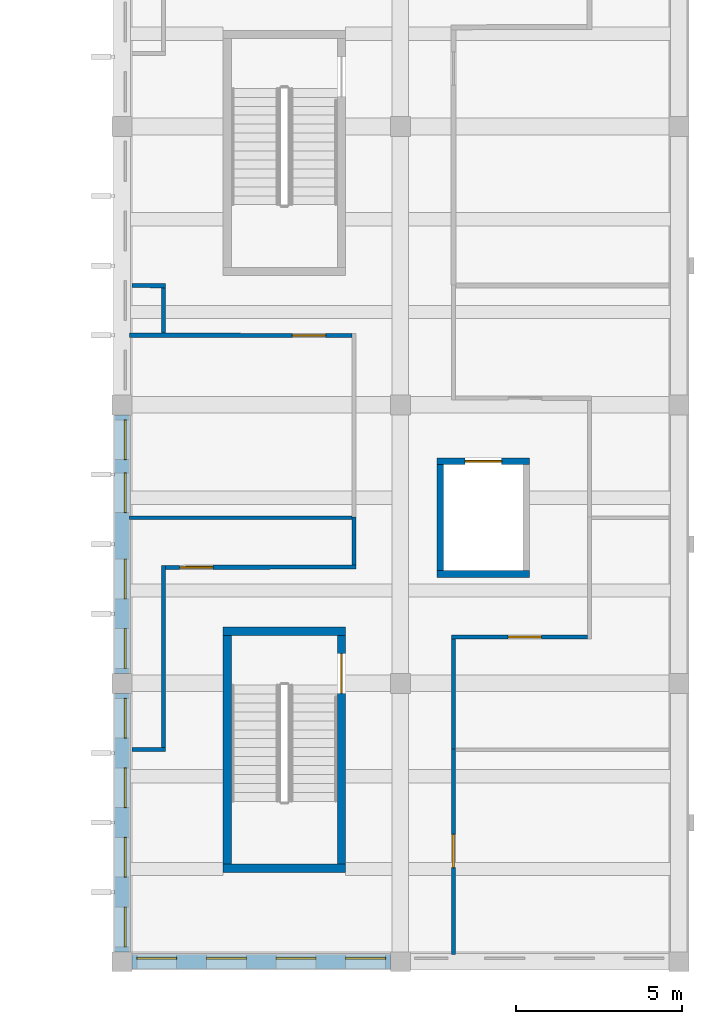
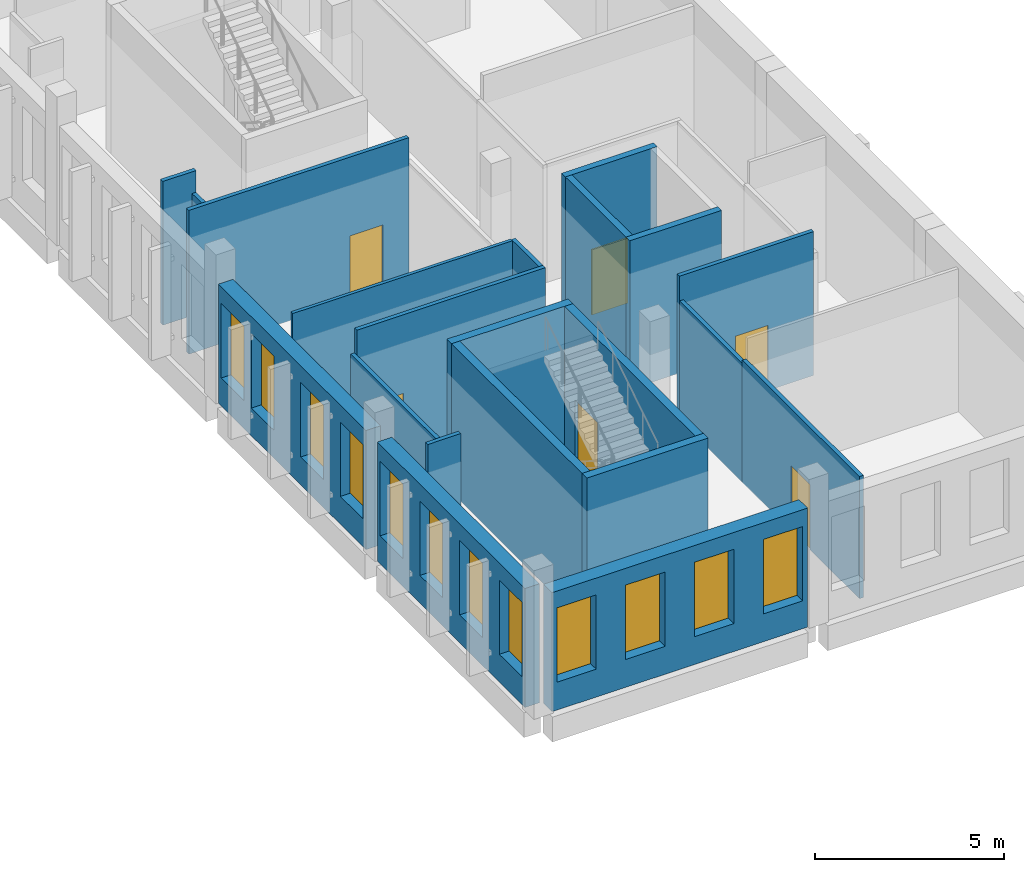
# One storey, part 55 of 103: 21 walls, 12 windows, 6 doors, 18 openings.
"""IFC4 building model written with IfcOpenShell, lengths in metres."""

from ifc_helpers import new_model, si_unit, direction, frame, frame_2d, origin, place, context, subcontext, project, spatial, rectangle, extrude, material, layer, layer_set, type_object, element, fill, save


model = new_model("IFC4")

# Units and contexts
model_context = context("Model", 3, precision=1e-05, world=origin(), true_north=direction((0.0, 1.0)))
body_context = subcontext(model_context, "Body", "Model", "MODEL_VIEW")
ifc_project = project(units=[si_unit("LENGTHUNIT", "METRE"), si_unit("AREAUNIT", "SQUARE_METRE"), si_unit("VOLUMEUNIT", "CUBIC_METRE"), si_unit("PLANEANGLEUNIT", "RADIAN"), si_unit("MASSUNIT", "GRAM", prefix="KILO")], contexts=[model_context])

# Site, building, storey
site_placement = place(None, origin())
site = spatial("IfcSite", under=ifc_project, at=site_placement, CompositionType="ELEMENT")
building_placement = place(site_placement, origin())
building = spatial("IfcBuilding", under=site, at=building_placement, Name="Larchfold Concert Hall", CompositionType="ELEMENT")
storey_placement = place(building_placement, frame((0.0, 0.0, 9.60009765625)))
storey = spatial("IfcBuildingStorey", under=building, at=storey_placement, Name="L02", CompositionType="ELEMENT", Elevation=9.60009765625)

# Wall, opening, door
ifc_material_1 = material(Name="Plasterboard partition on steel studs", Category="steel")
ifc_layer_1 = layer(ifc_material_1, 0.125)
ifc_layer_set_1 = layer_set([ifc_layer_1], Name="Plasterboard partition on steel studs")
wall_type_1 = type_object("IfcWallType", Name="Corridor partition 125 EI 60", PredefinedType="PARTITIONING", material=ifc_layer_set_1)
wall_1_placement = place(storey_placement, frame((94.60107421875, 7.02001953125, 0.0), z_axis=(0.0, 0.0, 1.0), x_axis=(-0.000157641679, -0.999999987575, 0.0)))
wall_1 = element("IfcWall", 1, at=wall_1_placement, inside=storey, type_object=wall_type_1, Name="Partition IW0015", PredefinedType="PARTITIONING", context=body_context, shape_type="SweptSolid", body=[
    extrude(rectangle(XDim=6.19482421875, YDim=0.125, at=frame_2d((3.097412109375, 0.0))), origin(), (0.0, 0.0, 1.0), 3.939697265625),
])
opening_1_placement = place(wall_1_placement, frame((2.579833984375, 0.0, 0.0)))
opening_1 = element("IfcOpeningElement", 2, at=opening_1_placement, cuts=wall_1, Name="Opening D-L02-108", PredefinedType="OPENING", context=body_context, shape_type="SweptSolid", body=[
    extrude(rectangle(XDim=1.0, YDim=2.10009765625, at=frame_2d((0.5, 1.050048828125))), frame((0.0, 0.072509765625, 0.0), z_axis=(0.0, -1.0, 0.0), x_axis=(1.0, 0.0, 0.0)), (0.0, 0.0, 1.0), 0.14501953125),
])
ifc_material_2 = material(Name="Timber door leaf", Category="wood")
door_type_1 = type_object("IfcDoorType", Name="Room door 1000 x 2100 FD30S", OperationType="SINGLE_SWING_LEFT", PredefinedType="DOOR", material=ifc_material_2)
door_1_placement = place(opening_1_placement, origin())
door_1 = element("IfcDoor", 3, at=door_1_placement, inside=storey, type_object=door_type_1, Name="Door D-L02-108", OperationType="SINGLE_SWING_RIGHT", OverallHeight=2.10009765625, OverallWidth=1.0, PredefinedType="DOOR", context=body_context, shape_type="SweptSolid", body=[
    extrude(rectangle(XDim=1.0, YDim=2.10009765625, at=frame_2d((0.5, 1.050048828125))), frame((0.0, 0.02490234375, 0.0), z_axis=(0.0, -1.0, 0.0), x_axis=(1.0, 0.0, 0.0)), (0.0, 0.0, 1.0), 0.050048828125),
])
fill(opening_1, door_1)

# Walls
wall_2_placement = place(storey_placement, frame((84.89990234375, 7.0, 0.0), z_axis=(0.0, 0.0, 1.0), x_axis=(0.999955888097, 0.009392649238, 0.0)))
element("IfcWall", 4, at=wall_2_placement, inside=storey, type_object=wall_type_1, Name="Partition IW0016", PredefinedType="PARTITIONING", context=body_context, shape_type="SweptSolid", body=[
    extrude(rectangle(XDim=1.013671875, YDim=0.125, at=frame_2d((0.5068359375, 0.0))), origin(), (0.0, 0.0, 1.0), 4.639892578125),
])
wall_3_placement = place(storey_placement, frame((85.85107421875, 7.071533203125, 0.0), z_axis=(0.0, 0.0, 1.0), x_axis=(0.0, 1.0, 0.0)))
element("IfcWall", 5, at=wall_3_placement, inside=storey, type_object=wall_type_1, Name="Partition IW0017", PredefinedType="PARTITIONING", context=body_context, shape_type="SweptSolid", body=[
    extrude(rectangle(XDim=5.489990234375, YDim=0.125, at=frame_2d((2.7451171875, 0.0))), origin(), (0.0, 0.0, 1.0), 3.840087890625),
])

# Wall, opening, door
wall_4_placement = place(storey_placement, frame((85.91357421875, 12.4990234375, 0.0), z_axis=(0.0, 0.0, 1.0), x_axis=(0.999998484761, 0.001740826167, 0.0)))
wall_4 = element("IfcWall", 6, at=wall_4_placement, inside=storey, type_object=wall_type_1, Name="Partition IW0018", PredefinedType="PARTITIONING", context=body_context, shape_type="SweptSolid", body=[
    extrude(rectangle(XDim=5.75, YDim=0.125, at=frame_2d((2.875, 0.0))), origin(), (0.0, 0.0, 1.0), 4.639892578125),
])
opening_2_placement = place(wall_4_placement, frame((0.426513671875, 0.0, 0.0)))
opening_2 = element("IfcOpeningElement", 7, at=opening_2_placement, cuts=wall_4, Name="Opening D-L02-109", PredefinedType="OPENING", context=body_context, shape_type="SweptSolid", body=[
    extrude(rectangle(XDim=1.0, YDim=2.10009765625, at=frame_2d((0.5, 1.050048828125))), frame((0.0, 0.072509765625, 0.0), z_axis=(0.0, -1.0, 0.0), x_axis=(1.0, 0.0, 0.0)), (0.0, 0.0, 1.0), 0.14501953125),
])
door_2_placement = place(opening_2_placement, origin())
door_2 = element("IfcDoor", 8, at=door_2_placement, inside=storey, type_object=door_type_1, Name="Door D-L02-109", OperationType="SINGLE_SWING_LEFT", OverallHeight=2.10009765625, OverallWidth=1.0, PredefinedType="DOOR", context=body_context, shape_type="SweptSolid", body=[
    extrude(rectangle(XDim=1.0, YDim=2.10009765625, at=frame_2d((0.5, 1.050048828125))), frame((0.0, 0.02490234375, 0.0), z_axis=(0.0, -1.0, 0.0), x_axis=(1.0, 0.0, 0.0)), (0.0, 0.0, 1.0), 0.050048828125),
])
fill(opening_2, door_2)

# Wall
wall_5_placement = place(storey_placement, frame((91.60107421875, 12.571533203125, 0.0), z_axis=(0.0, 0.0, 1.0), x_axis=(0.0, 1.0, 0.0)))
element("IfcWall", 9, at=wall_5_placement, inside=storey, type_object=wall_type_1, Name="Partition IW0019", PredefinedType="PARTITIONING", context=body_context, shape_type="SweptSolid", body=[
    extrude(rectangle(XDim=1.448486328125, YDim=0.125, at=frame_2d((0.72412109375, 0.0))), origin(), (0.0, 0.0, 1.0), 4.639892578125),
])

# Wall, opening, door
wall_6_placement = place(storey_placement, frame((91.53662109375, 19.4970703125, 0.0), z_axis=(0.0, 0.0, 1.0), x_axis=(-0.999999761149, 0.000691160257, 0.0)))
wall_6 = element("IfcWall", 10, at=wall_6_placement, inside=storey, type_object=wall_type_1, Name="Partition IW0021", PredefinedType="PARTITIONING", context=body_context, shape_type="SweptSolid", body=[
    extrude(rectangle(XDim=6.71142578125, YDim=0.125, at=frame_2d((3.355712890625, 0.0))), origin(), (0.0, 0.0, 1.0), 4.639892578125),
])
opening_3_placement = place(wall_6_placement, frame((0.79638671875, 0.0, 0.0)))
opening_3 = element("IfcOpeningElement", 11, at=opening_3_placement, cuts=wall_6, Name="Opening D-L02-110", PredefinedType="OPENING", context=body_context, shape_type="SweptSolid", body=[
    extrude(rectangle(XDim=1.0, YDim=2.10009765625, at=frame_2d((0.5, 1.050048828125))), frame((0.0, 0.072509765625, 0.0), z_axis=(0.0, -1.0, 0.0), x_axis=(1.0, 0.0, 0.0)), (0.0, 0.0, 1.0), 0.14501953125),
])
door_3_placement = place(opening_3_placement, origin())
door_3 = element("IfcDoor", 12, at=door_3_placement, inside=storey, type_object=door_type_1, Name="Door D-L02-110", OperationType="SINGLE_SWING_LEFT", OverallHeight=2.10009765625, OverallWidth=1.0, PredefinedType="DOOR", context=body_context, shape_type="SweptSolid", body=[
    extrude(rectangle(XDim=1.0, YDim=2.10009765625, at=frame_2d((0.5, 1.050048828125))), frame((0.0, 0.02490234375, 0.0), z_axis=(0.0, -1.0, 0.0), x_axis=(1.0, 0.0, 0.0)), (0.0, 0.0, 1.0), 0.050048828125),
])
fill(opening_3, door_3)

# Walls
wall_7_placement = place(storey_placement, frame((85.850830078125, 19.5634765625, 0.0), z_axis=(0.0, 0.0, 1.0), x_axis=(-0.001248215861, 0.999999220978, 0.0)))
element("IfcWall", 13, at=wall_7_placement, inside=storey, type_object=wall_type_1, Name="Partition IW0022", PredefinedType="PARTITIONING", context=body_context, shape_type="SweptSolid", body=[
    extrude(rectangle(XDim=1.369140625, YDim=0.125, at=frame_2d((0.6845703125, 0.0))), origin(), (0.0, 0.0, 1.0), 3.939697265625),
])
wall_8_placement = place(storey_placement, frame((85.91162109375, 20.99462890625, 0.0), z_axis=(0.0, 0.0, 1.0), x_axis=(-0.999985908193, 0.005308805497, 0.0)))
element("IfcWall", 14, at=wall_8_placement, inside=storey, type_object=wall_type_1, Name="Partition IW0023", PredefinedType="PARTITIONING", context=body_context, shape_type="SweptSolid", body=[
    extrude(rectangle(XDim=1.01171875, YDim=0.125, at=frame_2d((0.505859375, 0.0))), origin(), (0.0, 0.0, 1.0), 4.639892578125),
])

# Wall, opening, door
wall_9_placement = place(storey_placement, frame((98.636474609375, 10.40087890625, 0.0), z_axis=(0.0, 0.0, 1.0), x_axis=(-0.999998507473, -0.001727730516, 0.0)))
wall_9 = element("IfcWall", 15, at=wall_9_placement, inside=storey, type_object=wall_type_1, Name="Partition IW0025", PredefinedType="PARTITIONING", context=body_context, shape_type="SweptSolid", body=[
    extrude(rectangle(XDim=4.097900390625, YDim=0.125, at=frame_2d((2.048828125, 0.0))), origin(), (0.0, 0.0, 1.0), 4.639892578125),
])
opening_4_placement = place(wall_9_placement, frame((1.38720703125, 0.0, 0.0)))
opening_4 = element("IfcOpeningElement", 16, at=opening_4_placement, cuts=wall_9, Name="Opening D-L02-111", PredefinedType="OPENING", context=body_context, shape_type="SweptSolid", body=[
    extrude(rectangle(XDim=1.0, YDim=2.10009765625, at=frame_2d((0.5, 1.050048828125))), frame((0.0, 0.072509765625, 0.0), z_axis=(0.0, -1.0, 0.0), x_axis=(1.0, 0.0, 0.0)), (0.0, 0.0, 1.0), 0.14501953125),
])
door_4_placement = place(opening_4_placement, origin())
door_4 = element("IfcDoor", 17, at=door_4_placement, inside=storey, type_object=door_type_1, Name="Door D-L02-111", OperationType="SINGLE_SWING_LEFT", OverallHeight=2.10009765625, OverallWidth=1.0, PredefinedType="DOOR", context=body_context, shape_type="SweptSolid", body=[
    extrude(rectangle(XDim=1.0, YDim=2.10009765625, at=frame_2d((0.5, 1.050048828125))), frame((0.0, 0.02490234375, 0.0), z_axis=(0.0, -1.0, 0.0), x_axis=(1.0, 0.0, 0.0)), (0.0, 0.0, 1.0), 0.050048828125),
])
fill(opening_4, door_4)

# Walls
wall_10_placement = place(storey_placement, frame((94.60107421875, 10.33154296875, 0.0), z_axis=(0.0, 0.0, 1.0), x_axis=(0.0, -1.0, 0.0)))
element("IfcWall", 18, at=wall_10_placement, inside=storey, type_object=wall_type_1, Name="Partition IW0026", PredefinedType="PARTITIONING", context=body_context, shape_type="SweptSolid", body=[
    extrude(rectangle(XDim=3.3115234375, YDim=0.125, at=frame_2d((1.65576171875, 0.0))), origin(), (0.0, 0.0, 1.0), 3.840087890625),
])
ifc_material_3 = material(Name="Plasterboard partition on steel studs", Category="steel")
ifc_layer_2 = layer(ifc_material_3, 0.10009765625)
ifc_layer_set_2 = layer_set([ifc_layer_2], Name="Plasterboard partition on steel studs")
wall_type_2 = type_object("IfcWallType", Name="Stud partition 100", PredefinedType="PARTITIONING", material=ifc_layer_set_2)
wall_11_placement = place(storey_placement, frame((84.8251953125, 14.0, 0.0), z_axis=(0.0, 0.0, 1.0), x_axis=(1.0, 0.0, 0.0)))
element("IfcWall", 19, at=wall_11_placement, inside=storey, type_object=wall_type_2, Name="Partition IW0050", PredefinedType="PARTITIONING", context=body_context, shape_type="SweptSolid", body=[
    extrude(rectangle(XDim=6.709716796875, YDim=0.10009765625, at=frame_2d((3.35498046875, 0.0))), origin(), (0.0, 0.0, 1.0), 4.639892578125),
])
ifc_material_4 = material(Name="Concrete C40/50", Category="concrete")
ifc_layer_3 = layer(ifc_material_4, 0.199951171875)
ifc_layer_set_3 = layer_set([ifc_layer_3], Name="Concrete C40/50")
wall_type_3 = type_object("IfcWallType", Name="Wall RC 200 lift shaft", PredefinedType="SOLIDWALL", material=ifc_layer_set_3)
wall_12_placement = place(storey_placement, frame((94.10009765625, 12.300048828125, 0.0), z_axis=(0.0, 0.0, 1.0), x_axis=(1.0, 0.0, 0.0)))
element("IfcWall", 20, at=wall_12_placement, inside=storey, type_object=wall_type_3, Name="Wall W0151", PredefinedType="SOLIDWALL", context=body_context, shape_type="SweptSolid", body=[
    extrude(rectangle(XDim=2.7998046875, YDim=0.199951171875, at=frame_2d((1.39990234375, 0.0))), origin(), (0.0, 0.0, 1.0), 4.7998046875),
])

# Wall, opening, door
wall_13_placement = place(storey_placement, frame((94.10009765625, 15.699951171875, 0.0), z_axis=(0.0, 0.0, 1.0), x_axis=(1.0, 0.0, 0.0)))
wall_13 = element("IfcWall", 21, at=wall_13_placement, inside=storey, type_object=wall_type_3, Name="Wall W0152", PredefinedType="SOLIDWALL", context=body_context, shape_type="SweptSolid", body=[
    extrude(rectangle(XDim=2.7998046875, YDim=0.199951171875, at=frame_2d((1.39990234375, 0.0))), origin(), (0.0, 0.0, 1.0), 4.7998046875),
])
opening_5_placement = place(wall_13_placement, frame((0.849853515625, 0.0, 0.0)))
opening_5 = element("IfcOpeningElement", 22, at=opening_5_placement, cuts=wall_13, Name="Opening LD-LF06", PredefinedType="OPENING", context=body_context, shape_type="SweptSolid", body=[
    extrude(rectangle(XDim=1.10009765625, YDim=2.10009765625, at=frame_2d((0.550048828125, 1.050048828125))), frame((0.0, 0.10986328125, 0.0), z_axis=(0.0, -1.0, 0.0), x_axis=(1.0, 0.0, 0.0)), (0.0, 0.0, 1.0), 0.219970703125),
])
ifc_material_5 = material(Name="Stainless steel sliding leaves", Category="steel")
door_type_2 = type_object("IfcDoorType", Name="Lift landing door sliding 1100 x 2100", OperationType="SLIDING_TO_LEFT", PredefinedType="DOOR", material=ifc_material_5)
door_5_placement = place(opening_5_placement, origin())
door_5 = element("IfcDoor", 23, at=door_5_placement, inside=storey, type_object=door_type_2, Name="Lift landing door LF06", OperationType="SLIDING_TO_LEFT", OverallHeight=2.10009765625, OverallWidth=1.10009765625, PredefinedType="DOOR", context=body_context, shape_type="SweptSolid", body=[
    extrude(rectangle(XDim=1.10009765625, YDim=2.10009765625, at=frame_2d((0.550048828125, 1.050048828125))), frame((0.0, 0.02490234375, 0.0), z_axis=(0.0, -1.0, 0.0), x_axis=(1.0, 0.0, 0.0)), (0.0, 0.0, 1.0), 0.050048828125),
])
fill(opening_5, door_5)

# Walls
wall_14_placement = place(storey_placement, frame((94.2001953125, 12.39990234375, 0.0), z_axis=(0.0, 0.0, 1.0), x_axis=(0.0, 1.0, 0.0)))
element("IfcWall", 24, at=wall_14_placement, inside=storey, type_object=wall_type_3, Name="Wall W0153", PredefinedType="SOLIDWALL", context=body_context, shape_type="SweptSolid", body=[
    extrude(rectangle(XDim=3.2001953125, YDim=0.199951171875, at=frame_2d((1.60009765625, 0.0))), origin(), (0.0, 0.0, 1.0), 4.7998046875),
])
ifc_material_6 = material(Name="Concrete C40/50", Category="concrete")
ifc_layer_4 = layer(ifc_material_6, 0.25)
ifc_layer_set_4 = layer_set([ifc_layer_4], Name="Concrete C40/50")
wall_type_4 = type_object("IfcWallType", Name="Wall RC 250 stair core", PredefinedType="SOLIDWALL", material=ifc_layer_set_4)
for number, where, z_axis, x_axis, name in (
    (25, (87.64990234375, 3.425048828125, 0.0), (0.0, 0.0, 1.0), (1.0, 0.0, 0.0), "Wall W0079"),
    (26, (87.64990234375, 10.574951171875, 0.0), (0.0, 0.0, 1.0), (1.0, 0.0, 0.0), "Wall W0080"),
):
    element("IfcWall", number, at=place(storey_placement, frame(where, z_axis=z_axis, x_axis=x_axis)), inside=storey, type_object=wall_type_4, Name=name, PredefinedType="SOLIDWALL", context=body_context, shape_type="SweptSolid", body=[
        extrude(rectangle(XDim=3.7001953125, YDim=0.25, at=frame_2d((1.85009765625, 0.0))), origin(), (0.0, 0.0, 1.0), 4.7998046875),
    ])
wall_15_placement = place(storey_placement, frame((87.77490234375, 3.550048828125, 0.0), z_axis=(0.0, 0.0, 1.0), x_axis=(0.0, 1.0, 0.0)))
element("IfcWall", 27, at=wall_15_placement, inside=storey, type_object=wall_type_4, Name="Wall W0081", PredefinedType="SOLIDWALL", context=body_context, shape_type="SweptSolid", body=[
    extrude(rectangle(XDim=6.89990234375, YDim=0.25, at=frame_2d((3.449951171875, 0.0))), origin(), (0.0, 0.0, 1.0), 4.7998046875),
])

# Wall, opening, door
wall_16_placement = place(storey_placement, frame((91.22509765625, 3.550048828125, 0.0), z_axis=(0.0, 0.0, 1.0), x_axis=(0.0, 1.0, 0.0)))
wall_16 = element("IfcWall", 28, at=wall_16_placement, inside=storey, type_object=wall_type_4, Name="Wall W0082", PredefinedType="SOLIDWALL", context=body_context, shape_type="SweptSolid", body=[
    extrude(rectangle(XDim=6.89990234375, YDim=0.25, at=frame_2d((3.449951171875, 0.0))), origin(), (0.0, 0.0, 1.0), 4.7998046875),
])
opening_6_placement = place(wall_16_placement, frame((5.14990234375, 0.0, 0.0)))
opening_6 = element("IfcOpeningElement", 29, at=opening_6_placement, cuts=wall_16, Name="Opening D-L02-149", PredefinedType="OPENING", context=body_context, shape_type="SweptSolid", body=[
    extrude(rectangle(XDim=1.199951171875, YDim=2.10009765625, at=frame_2d((0.60009765625, 1.050048828125))), frame((0.0, 0.135009765625, 0.0), z_axis=(0.0, -1.0, 0.0), x_axis=(1.0, 0.0, 0.0)), (0.0, 0.0, 1.0), 0.27001953125),
])
ifc_material_7 = material(Name="Timber door leaf", Category="wood")
door_type_3 = type_object("IfcDoorType", Name="Stair enclosure door pair 1200 x 2100 FD60", OperationType="SINGLE_SWING_LEFT", PredefinedType="DOOR", material=ifc_material_7)
door_6_placement = place(opening_6_placement, origin())
door_6 = element("IfcDoor", 30, at=door_6_placement, inside=storey, type_object=door_type_3, Name="Door D-L02-149", OperationType="DOUBLE_DOOR_SINGLE_SWING", OverallHeight=2.10009765625, OverallWidth=1.199951171875, PredefinedType="DOOR", context=body_context, shape_type="SweptSolid", body=[
    extrude(rectangle(XDim=1.199951171875, YDim=2.10009765625, at=frame_2d((0.60009765625, 1.050048828125))), frame((0.0, 0.02490234375, 0.0), z_axis=(0.0, -1.0, 0.0), x_axis=(1.0, 0.0, 0.0)), (0.0, 0.0, 1.0), 0.050048828125),
])
fill(opening_6, door_6)

# Wall, openings, windows
ifc_material_8 = material(Name="White render on mineral wool and block")
ifc_layer_5 = layer(ifc_material_8, 0.449951171875)
ifc_layer_set_5 = layer_set([ifc_layer_5], Name="White render on mineral wool and block")
wall_type_5 = type_object("IfcWallType", Name="White render infill wall 450", PredefinedType="SOLIDWALL", material=ifc_layer_set_5)
wall_17_placement = place(storey_placement, frame((84.60009765625, 17.099853515625, 0.0), z_axis=(0.0, 0.0, 1.0), x_axis=(0.0, -1.0, 0.0)))
wall_17 = element("IfcWall", 31, at=wall_17_placement, inside=storey, type_object=wall_type_5, Name="Infill wall W5152", PredefinedType="SOLIDWALL", context=body_context, shape_type="SweptSolid", body=[
    extrude(rectangle(XDim=7.7998046875, YDim=0.449951171875, at=frame_2d((3.89990234375, 0.0))), origin(), (0.0, 0.0, 1.0), 3.840087890625),
])
opening_7_placement = place(wall_17_placement, frame((6.449951171875, 0.0, 0.89990234375)))
opening_7 = element("IfcOpeningElement", 32, at=opening_7_placement, cuts=wall_17, Name="Opening WN-L02-089", PredefinedType="OPENING", context=body_context, shape_type="SweptSolid", body=[
    extrude(rectangle(XDim=1.199951171875, YDim=2.39990234375, at=frame_2d((0.60009765625, 1.199951171875))), frame((0.0, 0.23486328125, 0.0), z_axis=(0.0, -1.0, 0.0), x_axis=(1.0, 0.0, 0.0)), (0.0, 0.0, 1.0), 0.469970703125),
])
opening_8_placement = place(wall_17_placement, frame((4.349853515625, 0.0, 0.89990234375)))
opening_8 = element("IfcOpeningElement", 33, at=opening_8_placement, cuts=wall_17, Name="Opening WN-L02-090", PredefinedType="OPENING", context=body_context, shape_type="SweptSolid", body=[
    extrude(rectangle(XDim=1.199951171875, YDim=2.39990234375, at=frame_2d((0.60009765625, 1.199951171875))), frame((0.0, 0.23486328125, 0.0), z_axis=(0.0, -1.0, 0.0), x_axis=(1.0, 0.0, 0.0)), (0.0, 0.0, 1.0), 0.469970703125),
])
opening_9_placement = place(wall_17_placement, frame((1.749755859375, 0.0, 0.89990234375)))
opening_9 = element("IfcOpeningElement", 34, at=opening_9_placement, cuts=wall_17, Name="Opening WN-L02-091", PredefinedType="OPENING", context=body_context, shape_type="SweptSolid", body=[
    extrude(rectangle(XDim=1.199951171875, YDim=2.39990234375, at=frame_2d((0.60009765625, 1.199951171875))), frame((0.0, 0.23486328125, 0.0), z_axis=(0.0, -1.0, 0.0), x_axis=(1.0, 0.0, 0.0)), (0.0, 0.0, 1.0), 0.469970703125),
])
opening_10_placement = place(wall_17_placement, frame((0.14990234375, 0.0, 0.89990234375)))
opening_10 = element("IfcOpeningElement", 35, at=opening_10_placement, cuts=wall_17, Name="Opening WN-L02-092", PredefinedType="OPENING", context=body_context, shape_type="SweptSolid", body=[
    extrude(rectangle(XDim=1.199951171875, YDim=2.39990234375, at=frame_2d((0.60009765625, 1.199951171875))), frame((0.0, 0.23486328125, 0.0), z_axis=(0.0, -1.0, 0.0), x_axis=(1.0, 0.0, 0.0)), (0.0, 0.0, 1.0), 0.469970703125),
])
ifc_material_9 = material(Name="Anodised graphite aluminium frame with glass", Category="aluminium")
window_type = type_object("IfcWindowType", Name="Slot window 1200x2400", PartitioningType="SINGLE_PANEL", PredefinedType="WINDOW", material=ifc_material_9)
window_1_placement = place(opening_7_placement, origin())
window_1 = element("IfcWindow", 36, at=window_1_placement, inside=storey, type_object=window_type, Name="Window WN-L02-089", OverallHeight=2.39990234375, OverallWidth=1.199951171875, PartitioningType="SINGLE_PANEL", PredefinedType="WINDOW", context=body_context, shape_type="SweptSolid", body=[
    extrude(rectangle(XDim=1.199951171875, YDim=2.39990234375, at=frame_2d((0.60009765625, 1.199951171875))), frame((0.0, 0.135009765625, 0.0), z_axis=(0.0, -1.0, 0.0), x_axis=(1.0, 0.0, 0.0)), (0.0, 0.0, 1.0), 0.06005859375),
])
fill(opening_7, window_1)
window_2_placement = place(opening_8_placement, origin())
window_2 = element("IfcWindow", 37, at=window_2_placement, inside=storey, type_object=window_type, Name="Window WN-L02-090", OverallHeight=2.39990234375, OverallWidth=1.199951171875, PartitioningType="SINGLE_PANEL", PredefinedType="WINDOW", context=body_context, shape_type="SweptSolid", body=[
    extrude(rectangle(XDim=1.199951171875, YDim=2.39990234375, at=frame_2d((0.60009765625, 1.199951171875))), frame((0.0, 0.135009765625, 0.0), z_axis=(0.0, -1.0, 0.0), x_axis=(1.0, 0.0, 0.0)), (0.0, 0.0, 1.0), 0.06005859375),
])
fill(opening_8, window_2)
window_3_placement = place(opening_9_placement, origin())
window_3 = element("IfcWindow", 38, at=window_3_placement, inside=storey, type_object=window_type, Name="Window WN-L02-091", OverallHeight=2.39990234375, OverallWidth=1.199951171875, PartitioningType="SINGLE_PANEL", PredefinedType="WINDOW", context=body_context, shape_type="SweptSolid", body=[
    extrude(rectangle(XDim=1.199951171875, YDim=2.39990234375, at=frame_2d((0.60009765625, 1.199951171875))), frame((0.0, 0.135009765625, 0.0), z_axis=(0.0, -1.0, 0.0), x_axis=(1.0, 0.0, 0.0)), (0.0, 0.0, 1.0), 0.06005859375),
])
fill(opening_9, window_3)
window_4_placement = place(opening_10_placement, origin())
window_4 = element("IfcWindow", 39, at=window_4_placement, inside=storey, type_object=window_type, Name="Window WN-L02-092", OverallHeight=2.39990234375, OverallWidth=1.199951171875, PartitioningType="SINGLE_PANEL", PredefinedType="WINDOW", context=body_context, shape_type="SweptSolid", body=[
    extrude(rectangle(XDim=1.199951171875, YDim=2.39990234375, at=frame_2d((0.60009765625, 1.199951171875))), frame((0.0, 0.135009765625, 0.0), z_axis=(0.0, -1.0, 0.0), x_axis=(1.0, 0.0, 0.0)), (0.0, 0.0, 1.0), 0.06005859375),
])
fill(opening_10, window_4)

wall_18_placement = place(storey_placement, frame((84.60009765625, 8.699951171875, 0.0), z_axis=(0.0, 0.0, 1.0), x_axis=(0.0, -1.0, 0.0)))
wall_18 = element("IfcWall", 40, at=wall_18_placement, inside=storey, type_object=wall_type_5, Name="Infill wall W5153", PredefinedType="SOLIDWALL", context=body_context, shape_type="SweptSolid", body=[
    extrude(rectangle(XDim=7.7998046875, YDim=0.449951171875, at=frame_2d((3.89990234375, 0.0))), origin(), (0.0, 0.0, 1.0), 3.840087890625),
])
opening_11_placement = place(wall_18_placement, frame((6.449951171875, 0.0, 0.89990234375)))
opening_11 = element("IfcOpeningElement", 41, at=opening_11_placement, cuts=wall_18, Name="Opening WN-L02-093", PredefinedType="OPENING", context=body_context, shape_type="SweptSolid", body=[
    extrude(rectangle(XDim=1.199951171875, YDim=2.39990234375, at=frame_2d((0.60009765625, 1.199951171875))), frame((0.0, 0.23486328125, 0.0), z_axis=(0.0, -1.0, 0.0), x_axis=(1.0, 0.0, 0.0)), (0.0, 0.0, 1.0), 0.469970703125),
])
opening_12_placement = place(wall_18_placement, frame((4.349853515625, 0.0, 0.89990234375)))
opening_12 = element("IfcOpeningElement", 42, at=opening_12_placement, cuts=wall_18, Name="Opening WN-L02-094", PredefinedType="OPENING", context=body_context, shape_type="SweptSolid", body=[
    extrude(rectangle(XDim=1.199951171875, YDim=2.39990234375, at=frame_2d((0.60009765625, 1.199951171875))), frame((0.0, 0.23486328125, 0.0), z_axis=(0.0, -1.0, 0.0), x_axis=(1.0, 0.0, 0.0)), (0.0, 0.0, 1.0), 0.469970703125),
])
opening_13_placement = place(wall_18_placement, frame((2.25, 0.0, 0.89990234375)))
opening_13 = element("IfcOpeningElement", 43, at=opening_13_placement, cuts=wall_18, Name="Opening WN-L02-095", PredefinedType="OPENING", context=body_context, shape_type="SweptSolid", body=[
    extrude(rectangle(XDim=1.199951171875, YDim=2.39990234375, at=frame_2d((0.60009765625, 1.199951171875))), frame((0.0, 0.23486328125, 0.0), z_axis=(0.0, -1.0, 0.0), x_axis=(1.0, 0.0, 0.0)), (0.0, 0.0, 1.0), 0.469970703125),
])
opening_14_placement = place(wall_18_placement, frame((0.14990234375, 0.0, 0.89990234375)))
opening_14 = element("IfcOpeningElement", 44, at=opening_14_placement, cuts=wall_18, Name="Opening WN-L02-096", PredefinedType="OPENING", context=body_context, shape_type="SweptSolid", body=[
    extrude(rectangle(XDim=1.199951171875, YDim=2.39990234375, at=frame_2d((0.60009765625, 1.199951171875))), frame((0.0, 0.23486328125, 0.0), z_axis=(0.0, -1.0, 0.0), x_axis=(1.0, 0.0, 0.0)), (0.0, 0.0, 1.0), 0.469970703125),
])
window_5_placement = place(opening_11_placement, origin())
window_5 = element("IfcWindow", 45, at=window_5_placement, inside=storey, type_object=window_type, Name="Window WN-L02-093", OverallHeight=2.39990234375, OverallWidth=1.199951171875, PartitioningType="SINGLE_PANEL", PredefinedType="WINDOW", context=body_context, shape_type="SweptSolid", body=[
    extrude(rectangle(XDim=1.199951171875, YDim=2.39990234375, at=frame_2d((0.60009765625, 1.199951171875))), frame((0.0, 0.135009765625, 0.0), z_axis=(0.0, -1.0, 0.0), x_axis=(1.0, 0.0, 0.0)), (0.0, 0.0, 1.0), 0.06005859375),
])
fill(opening_11, window_5)
window_6_placement = place(opening_12_placement, origin())
window_6 = element("IfcWindow", 46, at=window_6_placement, inside=storey, type_object=window_type, Name="Window WN-L02-094", OverallHeight=2.39990234375, OverallWidth=1.199951171875, PartitioningType="SINGLE_PANEL", PredefinedType="WINDOW", context=body_context, shape_type="SweptSolid", body=[
    extrude(rectangle(XDim=1.199951171875, YDim=2.39990234375, at=frame_2d((0.60009765625, 1.199951171875))), frame((0.0, 0.135009765625, 0.0), z_axis=(0.0, -1.0, 0.0), x_axis=(1.0, 0.0, 0.0)), (0.0, 0.0, 1.0), 0.06005859375),
])
fill(opening_12, window_6)
window_7_placement = place(opening_13_placement, origin())
window_7 = element("IfcWindow", 47, at=window_7_placement, inside=storey, type_object=window_type, Name="Window WN-L02-095", OverallHeight=2.39990234375, OverallWidth=1.199951171875, PartitioningType="SINGLE_PANEL", PredefinedType="WINDOW", context=body_context, shape_type="SweptSolid", body=[
    extrude(rectangle(XDim=1.199951171875, YDim=2.39990234375, at=frame_2d((0.60009765625, 1.199951171875))), frame((0.0, 0.135009765625, 0.0), z_axis=(0.0, -1.0, 0.0), x_axis=(1.0, 0.0, 0.0)), (0.0, 0.0, 1.0), 0.06005859375),
])
fill(opening_13, window_7)
window_8_placement = place(opening_14_placement, origin())
window_8 = element("IfcWindow", 48, at=window_8_placement, inside=storey, type_object=window_type, Name="Window WN-L02-096", OverallHeight=2.39990234375, OverallWidth=1.199951171875, PartitioningType="SINGLE_PANEL", PredefinedType="WINDOW", context=body_context, shape_type="SweptSolid", body=[
    extrude(rectangle(XDim=1.199951171875, YDim=2.39990234375, at=frame_2d((0.60009765625, 1.199951171875))), frame((0.0, 0.135009765625, 0.0), z_axis=(0.0, -1.0, 0.0), x_axis=(1.0, 0.0, 0.0)), (0.0, 0.0, 1.0), 0.06005859375),
])
fill(opening_14, window_8)

wall_19_placement = place(storey_placement, frame((84.900146484375, 0.60009765625, 0.0), z_axis=(0.0, 0.0, 1.0), x_axis=(1.0, 0.0, 0.0)))
wall_19 = element("IfcWall", 49, at=wall_19_placement, inside=storey, type_object=wall_type_5, Name="Infill wall W5154", PredefinedType="SOLIDWALL", context=body_context, shape_type="SweptSolid", body=[
    extrude(rectangle(XDim=7.7998046875, YDim=0.449951171875, at=frame_2d((3.89990234375, 0.0))), origin(), (0.0, 0.0, 1.0), 3.840087890625),
])
opening_15_placement = place(wall_19_placement, frame((0.14990234375, 0.0, 0.89990234375)))
opening_15 = element("IfcOpeningElement", 50, at=opening_15_placement, cuts=wall_19, Name="Opening WN-L02-097", PredefinedType="OPENING", context=body_context, shape_type="SweptSolid", body=[
    extrude(rectangle(XDim=1.199951171875, YDim=2.39990234375, at=frame_2d((0.60009765625, 1.199951171875))), frame((0.0, 0.23486328125, 0.0), z_axis=(0.0, -1.0, 0.0), x_axis=(1.0, 0.0, 0.0)), (0.0, 0.0, 1.0), 0.469970703125),
])
opening_16_placement = place(wall_19_placement, frame((2.249755859375, 0.0, 0.89990234375)))
opening_16 = element("IfcOpeningElement", 51, at=opening_16_placement, cuts=wall_19, Name="Opening WN-L02-098", PredefinedType="OPENING", context=body_context, shape_type="SweptSolid", body=[
    extrude(rectangle(XDim=1.199951171875, YDim=2.39990234375, at=frame_2d((0.60009765625, 1.199951171875))), frame((0.0, 0.23486328125, 0.0), z_axis=(0.0, -1.0, 0.0), x_axis=(1.0, 0.0, 0.0)), (0.0, 0.0, 1.0), 0.469970703125),
])
opening_17_placement = place(wall_19_placement, frame((4.349853515625, 0.0, 0.89990234375)))
opening_17 = element("IfcOpeningElement", 52, at=opening_17_placement, cuts=wall_19, Name="Opening WN-L02-099", PredefinedType="OPENING", context=body_context, shape_type="SweptSolid", body=[
    extrude(rectangle(XDim=1.199951171875, YDim=2.39990234375, at=frame_2d((0.60009765625, 1.199951171875))), frame((0.0, 0.23486328125, 0.0), z_axis=(0.0, -1.0, 0.0), x_axis=(1.0, 0.0, 0.0)), (0.0, 0.0, 1.0), 0.469970703125),
])
opening_18_placement = place(wall_19_placement, frame((6.449951171875, 0.0, 0.89990234375)))
opening_18 = element("IfcOpeningElement", 53, at=opening_18_placement, cuts=wall_19, Name="Opening WN-L02-100", PredefinedType="OPENING", context=body_context, shape_type="SweptSolid", body=[
    extrude(rectangle(XDim=1.199951171875, YDim=2.39990234375, at=frame_2d((0.60009765625, 1.199951171875))), frame((0.0, 0.23486328125, 0.0), z_axis=(0.0, -1.0, 0.0), x_axis=(1.0, 0.0, 0.0)), (0.0, 0.0, 1.0), 0.469970703125),
])
window_9_placement = place(opening_15_placement, origin())
window_9 = element("IfcWindow", 54, at=window_9_placement, inside=storey, type_object=window_type, Name="Window WN-L02-097", OverallHeight=2.39990234375, OverallWidth=1.199951171875, PartitioningType="SINGLE_PANEL", PredefinedType="WINDOW", context=body_context, shape_type="SweptSolid", body=[
    extrude(rectangle(XDim=1.199951171875, YDim=2.39990234375, at=frame_2d((0.60009765625, 1.199951171875))), frame((0.0, 0.135009765625, 0.0), z_axis=(0.0, -1.0, 0.0), x_axis=(1.0, 0.0, 0.0)), (0.0, 0.0, 1.0), 0.06005859375),
])
fill(opening_15, window_9)
window_10_placement = place(opening_16_placement, origin())
window_10 = element("IfcWindow", 55, at=window_10_placement, inside=storey, type_object=window_type, Name="Window WN-L02-098", OverallHeight=2.39990234375, OverallWidth=1.199951171875, PartitioningType="SINGLE_PANEL", PredefinedType="WINDOW", context=body_context, shape_type="SweptSolid", body=[
    extrude(rectangle(XDim=1.199951171875, YDim=2.39990234375, at=frame_2d((0.60009765625, 1.199951171875))), frame((0.0, 0.135009765625, 0.0), z_axis=(0.0, -1.0, 0.0), x_axis=(1.0, 0.0, 0.0)), (0.0, 0.0, 1.0), 0.06005859375),
])
fill(opening_16, window_10)
window_11_placement = place(opening_17_placement, origin())
window_11 = element("IfcWindow", 56, at=window_11_placement, inside=storey, type_object=window_type, Name="Window WN-L02-099", OverallHeight=2.39990234375, OverallWidth=1.199951171875, PartitioningType="SINGLE_PANEL", PredefinedType="WINDOW", context=body_context, shape_type="SweptSolid", body=[
    extrude(rectangle(XDim=1.199951171875, YDim=2.39990234375, at=frame_2d((0.60009765625, 1.199951171875))), frame((0.0, 0.135009765625, 0.0), z_axis=(0.0, -1.0, 0.0), x_axis=(1.0, 0.0, 0.0)), (0.0, 0.0, 1.0), 0.06005859375),
])
fill(opening_17, window_11)
window_12_placement = place(opening_18_placement, origin())
window_12 = element("IfcWindow", 57, at=window_12_placement, inside=storey, type_object=window_type, Name="Window WN-L02-100", OverallHeight=2.39990234375, OverallWidth=1.199951171875, PartitioningType="SINGLE_PANEL", PredefinedType="WINDOW", context=body_context, shape_type="SweptSolid", body=[
    extrude(rectangle(XDim=1.199951171875, YDim=2.39990234375, at=frame_2d((0.60009765625, 1.199951171875))), frame((0.0, 0.135009765625, 0.0), z_axis=(0.0, -1.0, 0.0), x_axis=(1.0, 0.0, 0.0)), (0.0, 0.0, 1.0), 0.06005859375),
])
fill(opening_18, window_12)

save(model, "model.ifc")
